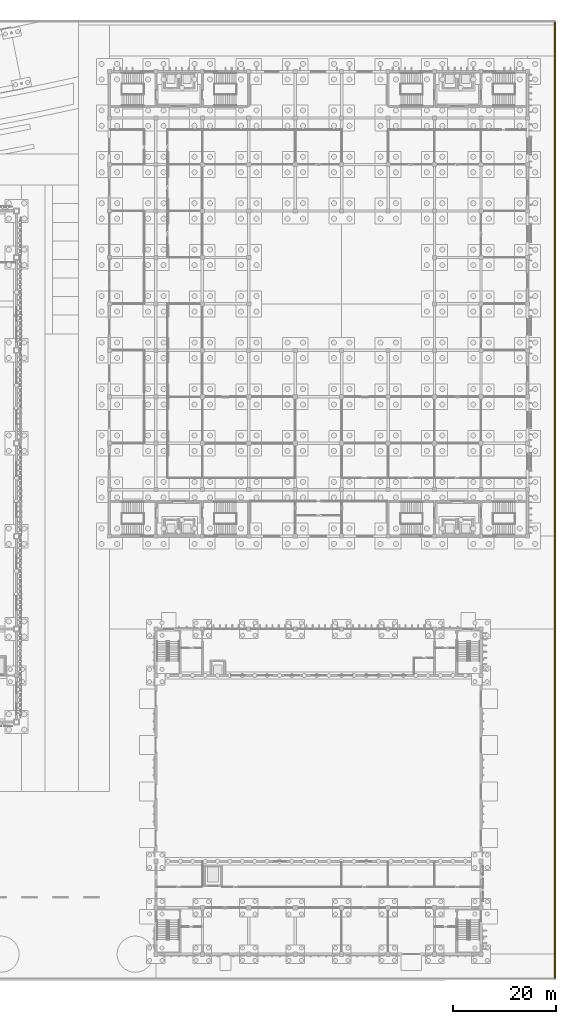
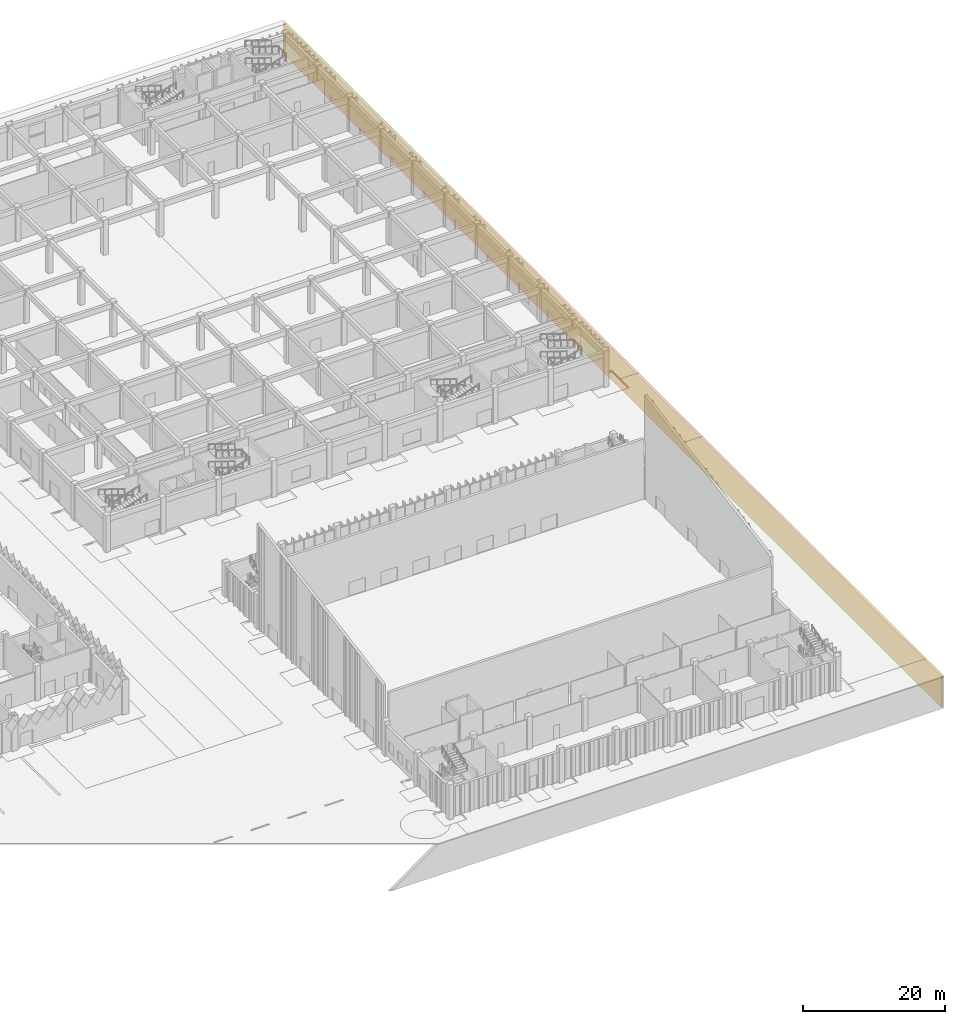
# One storey, part 190 of 198: 1 covering.
"""IFC4 building model written with IfcOpenShell, lengths in metres."""

from ifc_helpers import new_model, si_unit, direction, frame, origin, place, context, subcontext, project, spatial, polyline, outline, extrude, material, layer, layer_set, type_object, element, save


model = new_model("IFC4")

# Units and contexts
model_context = context("Model", 3, precision=1e-05, world=origin(), true_north=direction((0.0, 1.0)))
body_context = subcontext(model_context, "Body", "Model", "MODEL_VIEW")
ifc_project = project(units=[si_unit("LENGTHUNIT", "METRE"), si_unit("AREAUNIT", "SQUARE_METRE"), si_unit("VOLUMEUNIT", "CUBIC_METRE"), si_unit("PLANEANGLEUNIT", "RADIAN"), si_unit("MASSUNIT", "GRAM", prefix="KILO")], contexts=[model_context])

# Site, building, storey
site_placement = place(None, origin())
site = spatial("IfcSite", under=ifc_project, at=site_placement, CompositionType="ELEMENT")
building_placement = place(site_placement, origin())
building = spatial("IfcBuilding", under=site, at=building_placement, Name="Opaline Strait Convention Centre", CompositionType="ELEMENT")
storey_placement = place(building_placement, origin())
storey = spatial("IfcBuildingStorey", under=building, at=storey_placement, Name="L00", CompositionType="ELEMENT", Elevation=0.0)

# Covering
ifc_material = material(Name="Stabilised soil platform edge 300")
ifc_layer = layer(ifc_material, 0.300048828125)
ifc_layer_set = layer_set([ifc_layer], Name="Stabilised soil platform edge 300")
covering_type = type_object("IfcCoveringType", Name="Platform edge facing 300", PredefinedType="CLADDING", material=ifc_layer_set)
covering_placement = place(storey_placement, frame((0.0, 0.0, -5.5)))
element("IfcCovering", 1, at=covering_placement, inside=storey, type_object=covering_type, Name="Platform edge facing", PredefinedType="CLADDING", context=body_context, shape_type="SweptSolid", body=[
    extrude(outline(polyline([(365.199951171875, 4.300048828125), (365.5, 4.300048828125), (365.5, 189.699951171875), (365.199951171875, 189.699951171875), (365.199951171875, 4.300048828125)])), origin(), (0.0, 0.0, 1.0), 5.35009765625),
])

save(model, "model.ifc")
